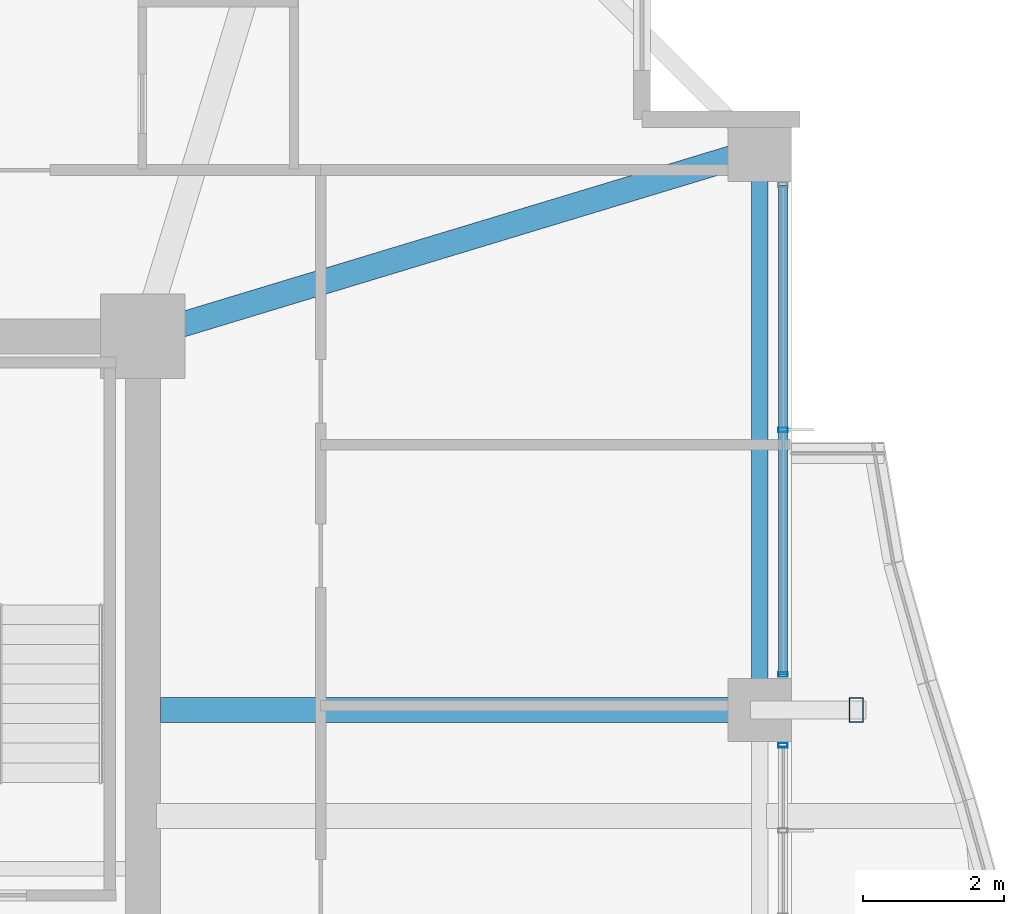
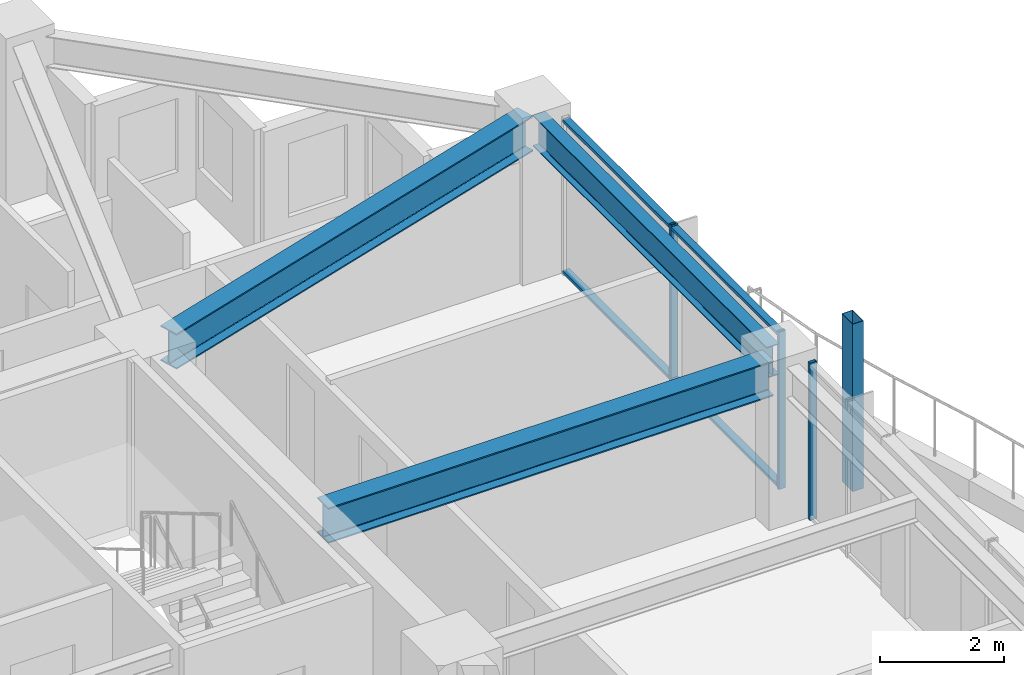
# One storey, part 18 of 35: 6 members, 3 beams, 2 elements without a shape of their own.
"""IFC4 building model written with IfcOpenShell, lengths in metres."""

from ifc_helpers import new_model, si_unit, direction, frame, origin, origin_2d, place, context, subcontext, project, spatial, hollow_rectangle, i_section, extrude, material, material_profile, profile_set, type_object, element, aggregate, save


model = new_model("IFC4")

# Units and contexts
model_context = context("Model", 3, precision=1e-05, world=origin(), true_north=direction((0.0, 1.0)))
body_context = subcontext(model_context, "Body", "Model", "MODEL_VIEW")
ifc_project = project(units=[si_unit("LENGTHUNIT", "METRE"), si_unit("AREAUNIT", "SQUARE_METRE"), si_unit("VOLUMEUNIT", "CUBIC_METRE"), si_unit("PLANEANGLEUNIT", "RADIAN"), si_unit("MASSUNIT", "GRAM", prefix="KILO")], contexts=[model_context])

# Site, building, storey
site_placement = place(None, origin())
site = spatial("IfcSite", under=ifc_project, at=site_placement, CompositionType="ELEMENT")
building_placement = place(site_placement, origin())
building = spatial("IfcBuilding", under=site, at=building_placement, Name="Kolvaren Belvedere", CompositionType="ELEMENT")
storey_placement = place(building_placement, frame((0.0, 0.0, 163.5)))
storey = spatial("IfcBuildingStorey", under=building, at=storey_placement, Name="L47", CompositionType="ELEMENT", Elevation=163.5)

# Beams
ifc_material_1 = material(Name="Structural steel ASTM A992 Grade 50", Category="steel")
ifc_material_profile_1 = material_profile(ifc_material_1, i_section(OverallWidth=0.35498046875, OverallDepth=0.696044921875, WebThickness=0.015380859375, FlangeThickness=0.02490234375, FilletRadius=0.02197265625, at=origin_2d()), Name="W27X146")
ifc_profile_set_1 = profile_set([ifc_material_profile_1], Name="Structural steel ASTM A992 Grade 50")
beam_type_1 = type_object("IfcBeamType", Name="BM-GIRD-W27X146", PredefinedType="BEAM", material=ifc_profile_set_1)
beam_1_placement = place(storey_placement, frame((10.14990234375, 4.60009765625, 2.751953125), z_axis=(1.0, 0.0, 0.0), x_axis=(0.0, 1.0, 0.0)))
element("IfcBeam", 1, at=beam_1_placement, inside=storey, type_object=beam_type_1, Name="L47 East Radial Girder P", PredefinedType="BEAM", context=body_context, shape_type="SweptSolid", body=[
    extrude(i_section(OverallWidth=0.35498046875, OverallDepth=0.696044921875, WebThickness=0.015380859375, FlangeThickness=0.02490234375, FilletRadius=0.02197265625, at=origin_2d()), origin(), (0.0, 0.0, 1.0), 8.297607421875),
])
beam_2_placement = place(storey_placement, frame((10.426513671875, 10.059326171875, 2.751953125), z_axis=(0.957067352423, 0.289865629086, 0.0), x_axis=(-0.289865629086, 0.957067352423, 0.0)))
element("IfcBeam", 2, at=beam_2_placement, inside=storey, type_object=beam_type_1, Name="L47 Corner Core-to-Perimeter Girder CC3-E4", PredefinedType="BEAM", context=body_context, shape_type="SweptSolid", body=[
    extrude(i_section(OverallWidth=0.35498046875, OverallDepth=0.696044921875, WebThickness=0.015380859375, FlangeThickness=0.02490234375, FilletRadius=0.02197265625, at=origin_2d()), origin(), (0.0, 0.0, 1.0), 8.412353515625),
])
ifc_material_2 = material(Name="Structural steel ASTM A992 Grade 50", Category="steel")
ifc_material_profile_2 = material_profile(ifc_material_2, i_section(OverallWidth=0.22900390625, OverallDepth=0.612060546875, WebThickness=0.011962890625, FlangeThickness=0.01953125, FilletRadius=0.01806640625, at=origin_2d()), Name="W24X84")
ifc_profile_set_2 = profile_set([ifc_material_profile_2], Name="Structural steel ASTM A992 Grade 50")
beam_type_2 = type_object("IfcBeamType", Name="BM-SPAN-W24X84", PredefinedType="SPANDREL", material=ifc_profile_set_2)
beam_3_placement = place(storey_placement, frame((18.64990234375, 4.802490234375, 2.7939453125), z_axis=(0.0, 1.0, 0.0), x_axis=(-1.0, 0.0, 0.0)))
element("IfcBeam", 3, at=beam_3_placement, inside=storey, type_object=beam_type_2, Name="L47 Perimeter Spandrel E3-E4", PredefinedType="SPANDREL", context=body_context, shape_type="SweptSolid", body=[
    extrude(i_section(OverallWidth=0.22900390625, OverallDepth=0.612060546875, WebThickness=0.011962890625, FlangeThickness=0.01953125, FilletRadius=0.01806640625, at=origin_2d()), origin(), (0.0, 0.0, 1.0), 7.544921875),
])

# Curtain wall, members
ifc_material_3 = material(Name="Anodised pale-metal aluminium AA 6063-T6", Category="aluminium")
curtain_wall_type = type_object("IfcCurtainWallType", Name="CW-Z3-WAIST", PredefinedType="NOTDEFINED", material=ifc_material_3)
curtain_wall_1_placement = place(storey_placement, origin())
curtain_wall_1 = element("IfcCurtainWall", 4, at=curtain_wall_1_placement, inside=storey, type_object=curtain_wall_type, Name="L47 Unitised Curtain Wall FCW-L47-E1-B1", PredefinedType="NOTDEFINED")
ifc_material_4 = material(Name="Anodised pale-metal aluminium AA 6063-T6", Category="aluminium")
ifc_material_profile_3 = material_profile(ifc_material_4, hollow_rectangle(XDim=0.06494140625, YDim=0.1298828125, WallThickness=0.00390625, at=origin_2d()), Name="ALU-MUL-130X65")
ifc_profile_set_3 = profile_set([ifc_material_profile_3], Name="Anodised pale-metal aluminium AA 6063-T6")
member_type_1 = type_object("IfcMemberType", Name="CW-MUL-130", PredefinedType="MULLION", material=ifc_profile_set_3)
member_1_placement = place(storey_placement, frame((18.97998046875, 8.574951171875, 0.0), z_axis=(0.0, 0.0, 1.0), x_axis=(0.0, 1.0, 0.0)))
member_1 = element("IfcMember", 5, at=member_1_placement, type_object=member_type_1, Name="FCW-L47-E1-B1 Unitised Mullion 2", PredefinedType="MULLION", context=body_context, shape_type="SweptSolid", body=[
    extrude(hollow_rectangle(XDim=0.06494140625, YDim=0.1298828125, WallThickness=0.00390625, at=origin_2d()), origin(), (0.0, 0.0, 1.0), 3.10009765625),
])
member_2_placement = place(storey_placement, frame((18.97998046875, 5.1025390625, 0.0), z_axis=(0.0, 0.0, 1.0), x_axis=(0.0, 1.0, 0.0)))
member_2 = element("IfcMember", 6, at=member_2_placement, type_object=member_type_1, Name="FCW-L47-E1-B1 Unitised Mullion 3", PredefinedType="MULLION", context=body_context, shape_type="SweptSolid", body=[
    extrude(hollow_rectangle(XDim=0.06494140625, YDim=0.1298828125, WallThickness=0.00390625, at=origin_2d()), origin(), (0.0, 0.0, 1.0), 3.10009765625),
])

# Curtain wall, member
curtain_wall_2_placement = place(storey_placement, origin())
curtain_wall_2 = element("IfcCurtainWall", 7, at=curtain_wall_2_placement, inside=storey, type_object=curtain_wall_type, Name="L47 Unitised Curtain Wall FCW-L47-E1-B2", PredefinedType="NOTDEFINED")
member_3_placement = place(storey_placement, frame((18.97998046875, 4.097412109375, 0.0), z_axis=(0.0, 0.0, 1.0), x_axis=(0.0, 1.0, 0.0)))
member_3 = element("IfcMember", 8, at=member_3_placement, type_object=member_type_1, Name="FCW-L47-E1-B2 Unitised Mullion 1", PredefinedType="MULLION", context=body_context, shape_type="SweptSolid", body=[
    extrude(hollow_rectangle(XDim=0.06494140625, YDim=0.1298828125, WallThickness=0.00390625, at=origin_2d()), origin(), (0.0, 0.0, 1.0), 3.10009765625),
])
aggregate(curtain_wall_2, [member_3])

# Member
ifc_material_5 = material(Name="Anodised pale-metal aluminium AA 6063-T6", Category="aluminium")
ifc_material_profile_4 = material_profile(ifc_material_5, hollow_rectangle(XDim=0.06005859375, YDim=0.1298828125, WallThickness=0.00390625, at=origin_2d()), Name="ALU-TRN-130X60")
ifc_profile_set_4 = profile_set([ifc_material_profile_4], Name="Anodised pale-metal aluminium AA 6063-T6")
member_type_2 = type_object("IfcMemberType", Name="CW-TRN-130", PredefinedType="USERDEFINED", material=ifc_profile_set_4)
member_4_placement = place(storey_placement, frame((18.97998046875, 12.047607421875, 0.06005859375), z_axis=(0.0, -1.0, 0.0), x_axis=(0.0, 0.0, 1.0)))
member_4 = element("IfcMember", 9, at=member_4_placement, type_object=member_type_2, Name="FCW-L47-E1-B1 Sill Transom", ObjectType="TRANSOM", PredefinedType="USERDEFINED", context=body_context, shape_type="SweptSolid", body=[
    extrude(hollow_rectangle(XDim=0.06005859375, YDim=0.1298828125, WallThickness=0.00390625, at=origin_2d()), origin(), (0.0, 0.0, 1.0), 6.945068359375),
])

member_5_placement = place(storey_placement, frame((18.97998046875, 12.047607421875, 3.0400390625), z_axis=(0.0, -1.0, 0.0), x_axis=(0.0, 0.0, 1.0)))
member_5 = element("IfcMember", 10, at=member_5_placement, type_object=member_type_2, Name="FCW-L47-E1-B1 Head Transom", ObjectType="TRANSOM", PredefinedType="USERDEFINED", context=body_context, shape_type="SweptSolid", body=[
    extrude(hollow_rectangle(XDim=0.06005859375, YDim=0.1298828125, WallThickness=0.00390625, at=origin_2d()), origin(), (0.0, 0.0, 1.0), 6.945068359375),
])

aggregate(curtain_wall_1, [member_1, member_2, member_4, member_5])

ifc_material_6 = material(Name="Anodised pale-metal aluminium AA 6063-T6", Category="aluminium")
ifc_material_profile_5 = material_profile(ifc_material_6, hollow_rectangle(XDim=0.199951171875, YDim=0.35009765625, WallThickness=0.007568359375, at=origin_2d()), Name="ALU-PF-350X200")
ifc_profile_set_5 = profile_set([ifc_material_profile_5], Name="Anodised pale-metal aluminium AA 6063-T6")
member_type_3 = type_object("IfcMemberType", Name="PF-FRAME-350", PredefinedType="USERDEFINED", material=ifc_profile_set_5)
member_6_placement = place(storey_placement, frame((20.02001953125, 4.60009765625, 0.0), z_axis=(0.0, 0.0, 1.0), x_axis=(1.0, 0.0, 0.0)))
element("IfcMember", 11, at=member_6_placement, inside=storey, type_object=member_type_3, Name="L47 Outboard Picture-Frame Vertical E1", ObjectType="PICTURE FRAME FIN", PredefinedType="USERDEFINED", context=body_context, shape_type="SweptSolid", body=[
    extrude(hollow_rectangle(XDim=0.199951171875, YDim=0.35009765625, WallThickness=0.007568359375, at=origin_2d()), origin(), (0.0, 0.0, 1.0), 3.300048828125),
])

save(model, "model.ifc")
